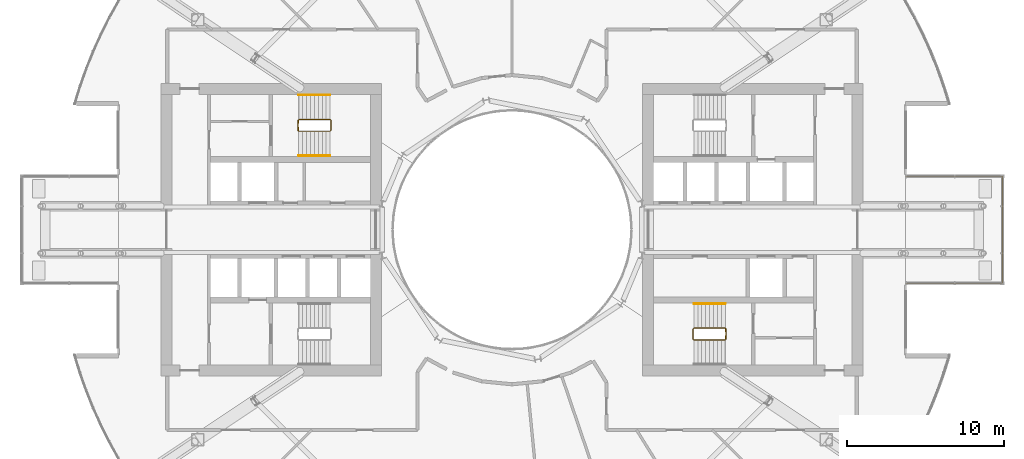
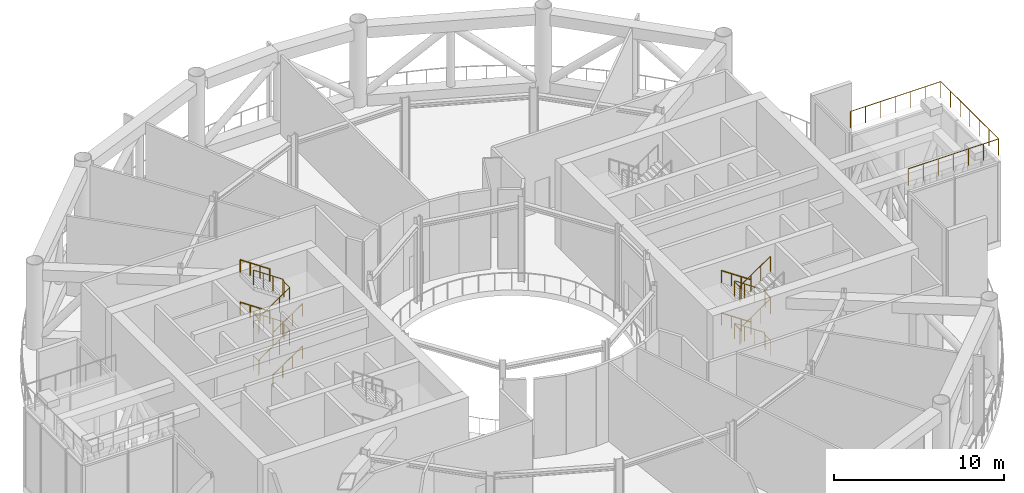
# One storey, part 21 of 23: 9 railings.
"""IFC4 building model written with IfcOpenShell, lengths in metres."""

from ifc_helpers import new_model, si_unit, direction, frame, origin, origin_2d, place, context, subcontext, project, spatial, circle, extrude, material, type_object, element, save


model = new_model("IFC4")

# Units and contexts
model_context = context("Model", 3, precision=1e-05, world=origin(), true_north=direction((0.0, 1.0)))
body_context = subcontext(model_context, "Body", "Model", "MODEL_VIEW")
ifc_project = project(units=[si_unit("LENGTHUNIT", "METRE"), si_unit("AREAUNIT", "SQUARE_METRE"), si_unit("VOLUMEUNIT", "CUBIC_METRE"), si_unit("PLANEANGLEUNIT", "RADIAN"), si_unit("MASSUNIT", "GRAM", prefix="KILO")], contexts=[model_context])

# Site, building, storey
site_placement = place(None, origin())
site = spatial("IfcSite", under=ifc_project, at=site_placement, CompositionType="ELEMENT")
building_placement = place(site_placement, origin())
building = spatial("IfcBuilding", under=site, at=building_placement, Name="Maasbend Ring Residences", CompositionType="ELEMENT")
storey_placement = place(building_placement, frame((0.0, 0.0, 97.14990234375)))
storey = spatial("IfcBuildingStorey", under=building, at=storey_placement, Name="L28", CompositionType="ELEMENT", Elevation=97.14990234375)

# Railings
ifc_material_1 = material(Name="Stainless steel 316 and glass", Category="steel")
railing_type_1 = type_object("IfcRailingType", Name="RL-GUARD", PredefinedType="GUARDRAIL", material=ifc_material_1)
railing_1_placement = place(storey_placement, frame((25.0, -3.39990234375, 6.10009765625)))
element("IfcRailing", 1, at=railing_1_placement, inside=storey, type_object=railing_type_1, Name="Roof terrace guard", PredefinedType="GUARDRAIL", context=body_context, shape_type="SweptSolid", body=[
    extrude(circle(Radius=0.02490234375, at=origin_2d()), frame((0.0, 0.0, 1.1748046875), z_axis=(1.0, 0.0, 0.0), x_axis=(0.0, 1.0, 0.0)), (0.0, 0.0, 1.0), 6.14990234375),
    extrude(circle(Radius=0.02490234375, at=origin_2d()), frame((6.14990234375, 0.0, 1.1748046875), z_axis=(0.0, 1.0, 0.0), x_axis=(-1.0, 0.0, 0.0)), (0.0, 0.0, 1.0), 6.7998046875),
    extrude(circle(Radius=0.02490234375, at=origin_2d()), frame((6.14990234375, 6.7998046875, 1.1748046875), z_axis=(-1.0, 0.0, 0.0), x_axis=(0.0, -1.0, 0.0)), (0.0, 0.0, 1.0), 6.14990234375),
    extrude(circle(Radius=0.02001953125, at=origin_2d()), origin(), (0.0, 0.0, 1.0), 1.14990234375),
    extrude(circle(Radius=0.02001953125, at=origin_2d()), frame((1.02490234375, 0.0, 0.0)), (0.0, 0.0, 1.0), 1.14990234375),
    extrude(circle(Radius=0.02001953125, at=origin_2d()), frame((2.050048828125, 0.0, 0.0)), (0.0, 0.0, 1.0), 1.14990234375),
    extrude(circle(Radius=0.02001953125, at=origin_2d()), frame((3.074951171875, 0.0, 0.0)), (0.0, 0.0, 1.0), 1.14990234375),
    extrude(circle(Radius=0.02001953125, at=origin_2d()), frame((4.099853515625, 0.0, 0.0)), (0.0, 0.0, 1.0), 1.14990234375),
    extrude(circle(Radius=0.02001953125, at=origin_2d()), frame((5.125, 0.0, 0.0)), (0.0, 0.0, 1.0), 1.14990234375),
    extrude(circle(Radius=0.02001953125, at=origin_2d()), frame((6.14990234375, 0.0, 0.0)), (0.0, 0.0, 1.0), 1.14990234375),
    extrude(circle(Radius=0.02001953125, at=origin_2d()), frame((6.14990234375, 1.13330078125, 0.0)), (0.0, 0.0, 1.0), 1.14990234375),
    extrude(circle(Radius=0.02001953125, at=origin_2d()), frame((6.14990234375, 2.2666015625, 0.0)), (0.0, 0.0, 1.0), 1.14990234375),
    extrude(circle(Radius=0.02001953125, at=origin_2d()), frame((6.14990234375, 3.39990234375, 0.0)), (0.0, 0.0, 1.0), 1.14990234375),
    extrude(circle(Radius=0.02001953125, at=origin_2d()), frame((6.14990234375, 4.533203125, 0.0)), (0.0, 0.0, 1.0), 1.14990234375),
    extrude(circle(Radius=0.02001953125, at=origin_2d()), frame((6.14990234375, 5.66650390625, 0.0)), (0.0, 0.0, 1.0), 1.14990234375),
    extrude(circle(Radius=0.02001953125, at=origin_2d()), frame((6.14990234375, 6.7998046875, 0.0)), (0.0, 0.0, 1.0), 1.14990234375),
    extrude(circle(Radius=0.02001953125, at=origin_2d()), frame((5.125, 6.7998046875, 0.0)), (0.0, 0.0, 1.0), 1.14990234375),
    extrude(circle(Radius=0.02001953125, at=origin_2d()), frame((4.099853515625, 6.7998046875, 0.0)), (0.0, 0.0, 1.0), 1.14990234375),
    extrude(circle(Radius=0.02001953125, at=origin_2d()), frame((3.074951171875, 6.7998046875, 0.0)), (0.0, 0.0, 1.0), 1.14990234375),
    extrude(circle(Radius=0.02001953125, at=origin_2d()), frame((2.050048828125, 6.7998046875, 0.0)), (0.0, 0.0, 1.0), 1.14990234375),
    extrude(circle(Radius=0.02001953125, at=origin_2d()), frame((1.02490234375, 6.7998046875, 0.0)), (0.0, 0.0, 1.0), 1.14990234375),
    extrude(circle(Radius=0.02001953125, at=origin_2d()), frame((0.0, 6.7998046875, 0.0)), (0.0, 0.0, 1.0), 1.14990234375),
])
ifc_material_2 = material(Name="Stainless steel 316", Category="steel")
railing_type_2 = type_object("IfcRailingType", Name="STAIR GUARD 1100", PredefinedType="GUARDRAIL", material=ifc_material_2)
railing_2_placement = place(storey_placement, frame((13.60009765625, -6.949951171875, 0.0)))
element("IfcRailing", 2, at=railing_2_placement, inside=storey, type_object=railing_type_2, Name="L28 ST-E2 stair guard 1", PredefinedType="GUARDRAIL", context=body_context, shape_type="SweptSolid", body=[
    extrude(circle(Radius=0.02392578125, at=origin_2d()), frame((0.0, 0.0, 1.076171875), z_axis=(0.0, 1.0, 0.0), x_axis=(-1.0, 0.0, 0.0)), (0.0, 0.0, 1.0), 0.64990234375),
    extrude(circle(Radius=0.02392578125, at=origin_2d()), frame((0.0, 0.64990234375, 1.076171875), z_axis=(-0.272562526181, 0.272562526181, 0.92272386912), x_axis=(-0.707106781187, -0.707106781187, 0.0)), (0.0, 0.0, 1.0), 0.18359375),
    extrude(circle(Radius=0.02392578125, at=origin_2d()), frame((-0.050048828125, 0.699951171875, 1.24560546875), z_axis=(-0.827750655447, 0.0, 0.561096116906), x_axis=(0.0, -1.0, 0.0)), (0.0, 0.0, 1.0), 2.416259765625),
    extrude(circle(Radius=0.02392578125, at=origin_2d()), frame((-2.050048828125, 0.699951171875, 2.60107421875), z_axis=(-0.707106781187, -0.707106781187, 0.0), x_axis=(0.707106781187, -0.707106781187, 0.0)), (0.0, 0.0, 1.0), 0.07080078125),
    extrude(circle(Radius=0.02392578125, at=origin_2d()), frame((-2.10009765625, 0.64990234375, 2.60107421875), z_axis=(0.0, -1.0, 0.0), x_axis=(1.0, 0.0, 0.0)), (0.0, 0.0, 1.0), 0.64990234375),
    extrude(circle(Radius=0.02392578125, at=origin_2d()), frame((-2.10009765625, 0.0, 2.60107421875), z_axis=(0.272562526181, -0.272562526181, 0.92272386912), x_axis=(0.707106781187, 0.707106781187, 0.0)), (0.0, 0.0, 1.0), 0.18359375),
    extrude(circle(Radius=0.02392578125, at=origin_2d()), frame((-2.050048828125, -0.050048828125, 2.7705078125), z_axis=(0.827797584762, 0.0, 0.561026878735), x_axis=(0.0, 1.0, 0.0)), (0.0, 0.0, 1.0), 2.416015625),
    extrude(circle(Radius=0.02392578125, at=origin_2d()), frame((-0.050048828125, -0.050048828125, 4.1259765625), z_axis=(0.071321223157, 0.997453398975, 0.0), x_axis=(-0.997453398975, 0.071321223157, 0.0)), (0.0, 0.0, 1.0), 0.70166015625),
    extrude(circle(Radius=0.02392578125, at=origin_2d()), frame((0.0, 0.64990234375, 4.1259765625), z_axis=(0.0, -1.0, 0.0), x_axis=(1.0, 0.0, 0.0)), (0.0, 0.0, 1.0), 0.64990234375),
    extrude(circle(Radius=0.02392578125, at=origin_2d()), frame((0.0, 0.0, 4.1259765625), z_axis=(-0.069328998915, 0.969591414091, 0.234704025594), x_axis=(-0.997453398975, -0.071321223157, 0.0)), (0.0, 0.0, 1.0), 0.721923828125),
    extrude(circle(Radius=0.02392578125, at=origin_2d()), frame((-0.050048828125, 0.699951171875, 4.29541015625), z_axis=(-0.827750655447, 0.0, 0.561096116906), x_axis=(0.0, -1.0, 0.0)), (0.0, 0.0, 1.0), 2.416259765625),
    extrude(circle(Radius=0.02392578125, at=origin_2d()), frame((-2.050048828125, 0.699951171875, 5.6513671875), z_axis=(-0.707106781187, -0.707106781187, 0.0), x_axis=(0.707106781187, -0.707106781187, 0.0)), (0.0, 0.0, 1.0), 0.07080078125),
    extrude(circle(Radius=0.02392578125, at=origin_2d()), frame((-2.10009765625, 0.64990234375, 5.6513671875), z_axis=(0.0, -1.0, 0.0), x_axis=(1.0, 0.0, 0.0)), (0.0, 0.0, 1.0), 0.64990234375),
    extrude(circle(Radius=0.02392578125, at=origin_2d()), frame((-2.10009765625, 0.0, 5.6513671875), z_axis=(0.272562526181, -0.272562526181, 0.92272386912), x_axis=(0.707106781187, 0.707106781187, 0.0)), (0.0, 0.0, 1.0), 0.18359375),
    extrude(circle(Radius=0.02392578125, at=origin_2d()), frame((-2.050048828125, -0.050048828125, 5.82080078125), z_axis=(0.827797584762, 0.0, 0.561026878735), x_axis=(0.0, 1.0, 0.0)), (0.0, 0.0, 1.0), 2.416015625),
    extrude(circle(Radius=0.02099609375, at=origin_2d()), origin(), (0.0, 0.0, 1.0), 1.052001953125),
    extrude(circle(Radius=0.02099609375, at=origin_2d()), frame((0.0, 0.64990234375, 0.0)), (0.0, 0.0, 1.0), 1.052001953125),
    extrude(circle(Radius=0.02099609375, at=origin_2d()), frame((-0.050048828125, 0.699951171875, 0.16943359375)), (0.0, 0.0, 1.0), 1.052001953125),
    extrude(circle(Radius=0.02099609375, at=origin_2d()), frame((-0.716796875, 0.699951171875, 0.621337890625)), (0.0, 0.0, 1.0), 1.052001953125),
    extrude(circle(Radius=0.02099609375, at=origin_2d()), frame((-1.38330078125, 0.699951171875, 1.0732421875)), (0.0, 0.0, 1.0), 1.052001953125),
    extrude(circle(Radius=0.02099609375, at=origin_2d()), frame((-2.050048828125, 0.699951171875, 1.525146484375)), (0.0, 0.0, 1.0), 1.052001953125),
    extrude(circle(Radius=0.02099609375, at=origin_2d()), frame((-2.10009765625, 0.64990234375, 1.525146484375)), (0.0, 0.0, 1.0), 1.052001953125),
    extrude(circle(Radius=0.02099609375, at=origin_2d()), frame((-2.10009765625, 0.0, 1.525146484375)), (0.0, 0.0, 1.0), 1.052001953125),
    extrude(circle(Radius=0.02099609375, at=origin_2d()), frame((-2.050048828125, -0.050048828125, 1.694580078125)), (0.0, 0.0, 1.0), 1.052001953125),
    extrude(circle(Radius=0.02099609375, at=origin_2d()), frame((-1.38330078125, -0.050048828125, 2.146484375)), (0.0, 0.0, 1.0), 1.052001953125),
    extrude(circle(Radius=0.02099609375, at=origin_2d()), frame((-0.716796875, -0.050048828125, 2.59814453125)), (0.0, 0.0, 1.0), 1.052001953125),
    extrude(circle(Radius=0.02099609375, at=origin_2d()), frame((-0.050048828125, -0.050048828125, 3.050048828125)), (0.0, 0.0, 1.0), 1.052001953125),
    extrude(circle(Radius=0.02099609375, at=origin_2d()), frame((0.0, 0.64990234375, 3.050048828125)), (0.0, 0.0, 1.0), 1.052001953125),
    extrude(circle(Radius=0.02099609375, at=origin_2d()), frame((0.0, 0.0, 3.050048828125)), (0.0, 0.0, 1.0), 1.052001953125),
    extrude(circle(Radius=0.02099609375, at=origin_2d()), frame((-0.050048828125, 0.699951171875, 3.219482421875)), (0.0, 0.0, 1.0), 1.052001953125),
    extrude(circle(Radius=0.02099609375, at=origin_2d()), frame((-0.716796875, 0.699951171875, 3.67138671875)), (0.0, 0.0, 1.0), 1.052001953125),
    extrude(circle(Radius=0.02099609375, at=origin_2d()), frame((-1.38330078125, 0.699951171875, 4.123291015625)), (0.0, 0.0, 1.0), 1.052001953125),
    extrude(circle(Radius=0.02099609375, at=origin_2d()), frame((-2.050048828125, 0.699951171875, 4.5751953125)), (0.0, 0.0, 1.0), 1.052001953125),
    extrude(circle(Radius=0.02099609375, at=origin_2d()), frame((-2.10009765625, 0.64990234375, 4.5751953125)), (0.0, 0.0, 1.0), 1.052001953125),
    extrude(circle(Radius=0.02099609375, at=origin_2d()), frame((-2.10009765625, 0.0, 4.5751953125)), (0.0, 0.0, 1.0), 1.052001953125),
    extrude(circle(Radius=0.02099609375, at=origin_2d()), frame((-2.050048828125, -0.050048828125, 4.74462890625)), (0.0, 0.0, 1.0), 1.052001953125),
    extrude(circle(Radius=0.02099609375, at=origin_2d()), frame((-1.38330078125, -0.050048828125, 5.196533203125)), (0.0, 0.0, 1.0), 1.052001953125),
    extrude(circle(Radius=0.02099609375, at=origin_2d()), frame((-0.716796875, -0.050048828125, 5.648193359375)), (0.0, 0.0, 1.0), 1.052001953125),
    extrude(circle(Radius=0.02099609375, at=origin_2d()), frame((-0.050048828125, -0.050048828125, 6.10009765625)), (0.0, 0.0, 1.0), 1.052001953125),
])
railing_3_placement = place(storey_placement, frame((-13.60009765625, 6.949951171875, 0.0)))
element("IfcRailing", 3, at=railing_3_placement, inside=storey, type_object=railing_type_2, Name="L28 ST-W2 stair guard 1", PredefinedType="GUARDRAIL", context=body_context, shape_type="SweptSolid", body=[
    extrude(circle(Radius=0.02392578125, at=origin_2d()), frame((0.0, 0.0, 1.076171875), z_axis=(0.0, -1.0, 0.0), x_axis=(1.0, 0.0, 0.0)), (0.0, 0.0, 1.0), 0.64990234375),
    extrude(circle(Radius=0.02392578125, at=origin_2d()), frame((0.0, -0.64990234375, 1.076171875), z_axis=(0.272562526181, -0.272562526181, 0.92272386912), x_axis=(0.707106781187, 0.707106781187, 0.0)), (0.0, 0.0, 1.0), 0.18359375),
    extrude(circle(Radius=0.02392578125, at=origin_2d()), frame((0.050048828125, -0.699951171875, 1.24560546875), z_axis=(0.827750655447, 0.0, 0.561096116906), x_axis=(0.0, 1.0, 0.0)), (0.0, 0.0, 1.0), 2.416259765625),
    extrude(circle(Radius=0.02392578125, at=origin_2d()), frame((2.050048828125, -0.699951171875, 2.60107421875), z_axis=(0.707106781187, 0.707106781187, 0.0), x_axis=(-0.707106781187, 0.707106781187, 0.0)), (0.0, 0.0, 1.0), 0.07080078125),
    extrude(circle(Radius=0.02392578125, at=origin_2d()), frame((2.10009765625, -0.64990234375, 2.60107421875), z_axis=(0.0, 1.0, 0.0), x_axis=(-1.0, 0.0, 0.0)), (0.0, 0.0, 1.0), 0.64990234375),
    extrude(circle(Radius=0.02392578125, at=origin_2d()), frame((2.10009765625, 0.0, 2.60107421875), z_axis=(-0.272562526181, 0.272562526181, 0.92272386912), x_axis=(-0.707106781187, -0.707106781187, 0.0)), (0.0, 0.0, 1.0), 0.18359375),
    extrude(circle(Radius=0.02392578125, at=origin_2d()), frame((2.050048828125, 0.050048828125, 2.7705078125), z_axis=(-0.827797584762, 0.0, 0.561026878735), x_axis=(0.0, -1.0, 0.0)), (0.0, 0.0, 1.0), 2.416015625),
    extrude(circle(Radius=0.02392578125, at=origin_2d()), frame((0.050048828125, 0.050048828125, 4.1259765625), z_axis=(-0.071321223157, -0.997453398975, 0.0), x_axis=(0.997453398975, -0.071321223157, 0.0)), (0.0, 0.0, 1.0), 0.70166015625),
    extrude(circle(Radius=0.02392578125, at=origin_2d()), frame((0.0, -0.64990234375, 4.1259765625), z_axis=(0.0, 1.0, 0.0), x_axis=(-1.0, 0.0, 0.0)), (0.0, 0.0, 1.0), 0.64990234375),
    extrude(circle(Radius=0.02392578125, at=origin_2d()), frame((0.0, 0.0, 4.1259765625), z_axis=(0.069328998915, -0.969591414091, 0.234704025594), x_axis=(0.997453398975, 0.071321223157, 0.0)), (0.0, 0.0, 1.0), 0.721923828125),
    extrude(circle(Radius=0.02392578125, at=origin_2d()), frame((0.050048828125, -0.699951171875, 4.29541015625), z_axis=(0.827750655447, 0.0, 0.561096116906), x_axis=(0.0, 1.0, 0.0)), (0.0, 0.0, 1.0), 2.416259765625),
    extrude(circle(Radius=0.02392578125, at=origin_2d()), frame((2.050048828125, -0.699951171875, 5.6513671875), z_axis=(0.707106781187, 0.707106781187, 0.0), x_axis=(-0.707106781187, 0.707106781187, 0.0)), (0.0, 0.0, 1.0), 0.07080078125),
    extrude(circle(Radius=0.02392578125, at=origin_2d()), frame((2.10009765625, -0.64990234375, 5.6513671875), z_axis=(0.0, 1.0, 0.0), x_axis=(-1.0, 0.0, 0.0)), (0.0, 0.0, 1.0), 0.64990234375),
    extrude(circle(Radius=0.02392578125, at=origin_2d()), frame((2.10009765625, 0.0, 5.6513671875), z_axis=(-0.272562526181, 0.272562526181, 0.92272386912), x_axis=(-0.707106781187, -0.707106781187, 0.0)), (0.0, 0.0, 1.0), 0.18359375),
    extrude(circle(Radius=0.02392578125, at=origin_2d()), frame((2.050048828125, 0.050048828125, 5.82080078125), z_axis=(-0.827797584762, 0.0, 0.561026878735), x_axis=(0.0, -1.0, 0.0)), (0.0, 0.0, 1.0), 2.416015625),
    extrude(circle(Radius=0.02099609375, at=origin_2d()), origin(), (0.0, 0.0, 1.0), 1.052001953125),
    extrude(circle(Radius=0.02099609375, at=origin_2d()), frame((0.0, -0.64990234375, 0.0)), (0.0, 0.0, 1.0), 1.052001953125),
    extrude(circle(Radius=0.02099609375, at=origin_2d()), frame((0.050048828125, -0.699951171875, 0.16943359375)), (0.0, 0.0, 1.0), 1.052001953125),
    extrude(circle(Radius=0.02099609375, at=origin_2d()), frame((0.716796875, -0.699951171875, 0.621337890625)), (0.0, 0.0, 1.0), 1.052001953125),
    extrude(circle(Radius=0.02099609375, at=origin_2d()), frame((1.38330078125, -0.699951171875, 1.0732421875)), (0.0, 0.0, 1.0), 1.052001953125),
    extrude(circle(Radius=0.02099609375, at=origin_2d()), frame((2.050048828125, -0.699951171875, 1.525146484375)), (0.0, 0.0, 1.0), 1.052001953125),
    extrude(circle(Radius=0.02099609375, at=origin_2d()), frame((2.10009765625, -0.64990234375, 1.525146484375)), (0.0, 0.0, 1.0), 1.052001953125),
    extrude(circle(Radius=0.02099609375, at=origin_2d()), frame((2.10009765625, 0.0, 1.525146484375)), (0.0, 0.0, 1.0), 1.052001953125),
    extrude(circle(Radius=0.02099609375, at=origin_2d()), frame((2.050048828125, 0.050048828125, 1.694580078125)), (0.0, 0.0, 1.0), 1.052001953125),
    extrude(circle(Radius=0.02099609375, at=origin_2d()), frame((1.38330078125, 0.050048828125, 2.146484375)), (0.0, 0.0, 1.0), 1.052001953125),
    extrude(circle(Radius=0.02099609375, at=origin_2d()), frame((0.716796875, 0.050048828125, 2.59814453125)), (0.0, 0.0, 1.0), 1.052001953125),
    extrude(circle(Radius=0.02099609375, at=origin_2d()), frame((0.050048828125, 0.050048828125, 3.050048828125)), (0.0, 0.0, 1.0), 1.052001953125),
    extrude(circle(Radius=0.02099609375, at=origin_2d()), frame((0.0, -0.64990234375, 3.050048828125)), (0.0, 0.0, 1.0), 1.052001953125),
    extrude(circle(Radius=0.02099609375, at=origin_2d()), frame((0.0, 0.0, 3.050048828125)), (0.0, 0.0, 1.0), 1.052001953125),
    extrude(circle(Radius=0.02099609375, at=origin_2d()), frame((0.050048828125, -0.699951171875, 3.219482421875)), (0.0, 0.0, 1.0), 1.052001953125),
    extrude(circle(Radius=0.02099609375, at=origin_2d()), frame((0.716796875, -0.699951171875, 3.67138671875)), (0.0, 0.0, 1.0), 1.052001953125),
    extrude(circle(Radius=0.02099609375, at=origin_2d()), frame((1.38330078125, -0.699951171875, 4.123291015625)), (0.0, 0.0, 1.0), 1.052001953125),
    extrude(circle(Radius=0.02099609375, at=origin_2d()), frame((2.050048828125, -0.699951171875, 4.5751953125)), (0.0, 0.0, 1.0), 1.052001953125),
    extrude(circle(Radius=0.02099609375, at=origin_2d()), frame((2.10009765625, -0.64990234375, 4.5751953125)), (0.0, 0.0, 1.0), 1.052001953125),
    extrude(circle(Radius=0.02099609375, at=origin_2d()), frame((2.10009765625, 0.0, 4.5751953125)), (0.0, 0.0, 1.0), 1.052001953125),
    extrude(circle(Radius=0.02099609375, at=origin_2d()), frame((2.050048828125, 0.050048828125, 4.74462890625)), (0.0, 0.0, 1.0), 1.052001953125),
    extrude(circle(Radius=0.02099609375, at=origin_2d()), frame((1.38330078125, 0.050048828125, 5.196533203125)), (0.0, 0.0, 1.0), 1.052001953125),
    extrude(circle(Radius=0.02099609375, at=origin_2d()), frame((0.716796875, 0.050048828125, 5.648193359375)), (0.0, 0.0, 1.0), 1.052001953125),
    extrude(circle(Radius=0.02099609375, at=origin_2d()), frame((0.050048828125, 0.050048828125, 6.10009765625)), (0.0, 0.0, 1.0), 1.052001953125),
])
ifc_material_3 = material(Name="Stainless steel 316", Category="steel")
railing_type_3 = type_object("IfcRailingType", Name="STAIR HANDRAIL 900", PredefinedType="HANDRAIL", material=ifc_material_3)
for number, where, name in (
    (4, (13.550048828125, -4.699951171875, 0.16943359375), "L28 ST-E2 stair handrail 1"),
    (5, (13.550048828125, -4.699951171875, 3.219482421875), "L28 ST-E2 stair handrail 3"),
):
    element("IfcRailing", number, at=place(storey_placement, frame(where)), inside=storey, type_object=railing_type_3, Name=name, PredefinedType="HANDRAIL", context=body_context, shape_type="SweptSolid", body=[
        extrude(circle(Radius=0.02392578125, at=origin_2d()), frame((0.0, 0.0, 0.8759765625), z_axis=(-0.827750655447, 0.0, 0.561096116906), x_axis=(0.0, -1.0, 0.0)), (0.0, 0.0, 1.0), 2.416259765625),
        extrude(circle(Radius=0.02099609375, at=origin_2d()), origin(), (0.0, 0.0, 1.0), 0.851806640625),
        extrude(circle(Radius=0.02099609375, at=origin_2d()), frame((-0.666748046875, 0.0, 0.451904296875)), (0.0, 0.0, 1.0), 0.851806640625),
        extrude(circle(Radius=0.02099609375, at=origin_2d()), frame((-1.333251953125, 0.0, 0.90380859375)), (0.0, 0.0, 1.0), 0.851806640625),
        extrude(circle(Radius=0.02099609375, at=origin_2d()), frame((-2.0, 0.0, 1.355712890625)), (0.0, 0.0, 1.0), 0.851806640625),
    ])
railing_4_placement = place(storey_placement, frame((-13.550048828125, 4.699951171875, 0.16943359375)))
element("IfcRailing", 6, at=railing_4_placement, inside=storey, type_object=railing_type_3, Name="L28 ST-W2 stair handrail 1", PredefinedType="HANDRAIL", context=body_context, shape_type="SweptSolid", body=[
    extrude(circle(Radius=0.02392578125, at=origin_2d()), frame((0.0, 0.0, 0.8759765625), z_axis=(0.827750655447, 0.0, 0.561096116906), x_axis=(0.0, 1.0, 0.0)), (0.0, 0.0, 1.0), 2.416259765625),
    extrude(circle(Radius=0.02099609375, at=origin_2d()), origin(), (0.0, 0.0, 1.0), 0.851806640625),
    extrude(circle(Radius=0.02099609375, at=origin_2d()), frame((0.666748046875, 0.0, 0.451904296875)), (0.0, 0.0, 1.0), 0.851806640625),
    extrude(circle(Radius=0.02099609375, at=origin_2d()), frame((1.333251953125, 0.0, 0.90380859375)), (0.0, 0.0, 1.0), 0.851806640625),
    extrude(circle(Radius=0.02099609375, at=origin_2d()), frame((2.0, 0.0, 1.355712890625)), (0.0, 0.0, 1.0), 0.851806640625),
])
railing_5_placement = place(storey_placement, frame((-11.550048828125, 8.550048828125, 1.694580078125)))
element("IfcRailing", 7, at=railing_5_placement, inside=storey, type_object=railing_type_3, Name="L28 ST-W2 stair handrail 2", PredefinedType="HANDRAIL", context=body_context, shape_type="SweptSolid", body=[
    extrude(circle(Radius=0.02392578125, at=origin_2d()), frame((0.0, 0.0, 0.8759765625), z_axis=(-0.827797584762, 0.0, 0.561026878735), x_axis=(0.0, -1.0, 0.0)), (0.0, 0.0, 1.0), 2.416015625),
    extrude(circle(Radius=0.02099609375, at=origin_2d()), origin(), (0.0, 0.0, 1.0), 0.851806640625),
    extrude(circle(Radius=0.02099609375, at=origin_2d()), frame((-0.666748046875, 0.0, 0.451904296875)), (0.0, 0.0, 1.0), 0.851806640625),
    extrude(circle(Radius=0.02099609375, at=origin_2d()), frame((-1.333251953125, 0.0, 0.903564453125)), (0.0, 0.0, 1.0), 0.851806640625),
    extrude(circle(Radius=0.02099609375, at=origin_2d()), frame((-2.0, 0.0, 1.35546875)), (0.0, 0.0, 1.0), 0.851806640625),
])
railing_6_placement = place(storey_placement, frame((-13.550048828125, 4.699951171875, 3.219482421875)))
element("IfcRailing", 8, at=railing_6_placement, inside=storey, type_object=railing_type_3, Name="L28 ST-W2 stair handrail 3", PredefinedType="HANDRAIL", context=body_context, shape_type="SweptSolid", body=[
    extrude(circle(Radius=0.02392578125, at=origin_2d()), frame((0.0, 0.0, 0.8759765625), z_axis=(0.827750655447, 0.0, 0.561096116906), x_axis=(0.0, 1.0, 0.0)), (0.0, 0.0, 1.0), 2.416259765625),
    extrude(circle(Radius=0.02099609375, at=origin_2d()), origin(), (0.0, 0.0, 1.0), 0.851806640625),
    extrude(circle(Radius=0.02099609375, at=origin_2d()), frame((0.666748046875, 0.0, 0.451904296875)), (0.0, 0.0, 1.0), 0.851806640625),
    extrude(circle(Radius=0.02099609375, at=origin_2d()), frame((1.333251953125, 0.0, 0.90380859375)), (0.0, 0.0, 1.0), 0.851806640625),
    extrude(circle(Radius=0.02099609375, at=origin_2d()), frame((2.0, 0.0, 1.355712890625)), (0.0, 0.0, 1.0), 0.851806640625),
])
railing_7_placement = place(storey_placement, frame((-11.550048828125, 8.550048828125, 4.74462890625)))
element("IfcRailing", 9, at=railing_7_placement, inside=storey, type_object=railing_type_3, Name="L28 ST-W2 stair handrail 4", PredefinedType="HANDRAIL", context=body_context, shape_type="SweptSolid", body=[
    extrude(circle(Radius=0.02392578125, at=origin_2d()), frame((0.0, 0.0, 0.8759765625), z_axis=(-0.827797584762, 0.0, 0.561026878735), x_axis=(0.0, -1.0, 0.0)), (0.0, 0.0, 1.0), 2.416015625),
    extrude(circle(Radius=0.02099609375, at=origin_2d()), origin(), (0.0, 0.0, 1.0), 0.851806640625),
    extrude(circle(Radius=0.02099609375, at=origin_2d()), frame((-0.666748046875, 0.0, 0.451904296875)), (0.0, 0.0, 1.0), 0.851806640625),
    extrude(circle(Radius=0.02099609375, at=origin_2d()), frame((-1.333251953125, 0.0, 0.903564453125)), (0.0, 0.0, 1.0), 0.851806640625),
    extrude(circle(Radius=0.02099609375, at=origin_2d()), frame((-2.0, 0.0, 1.35546875)), (0.0, 0.0, 1.0), 0.851806640625),
])

save(model, "model.ifc")
